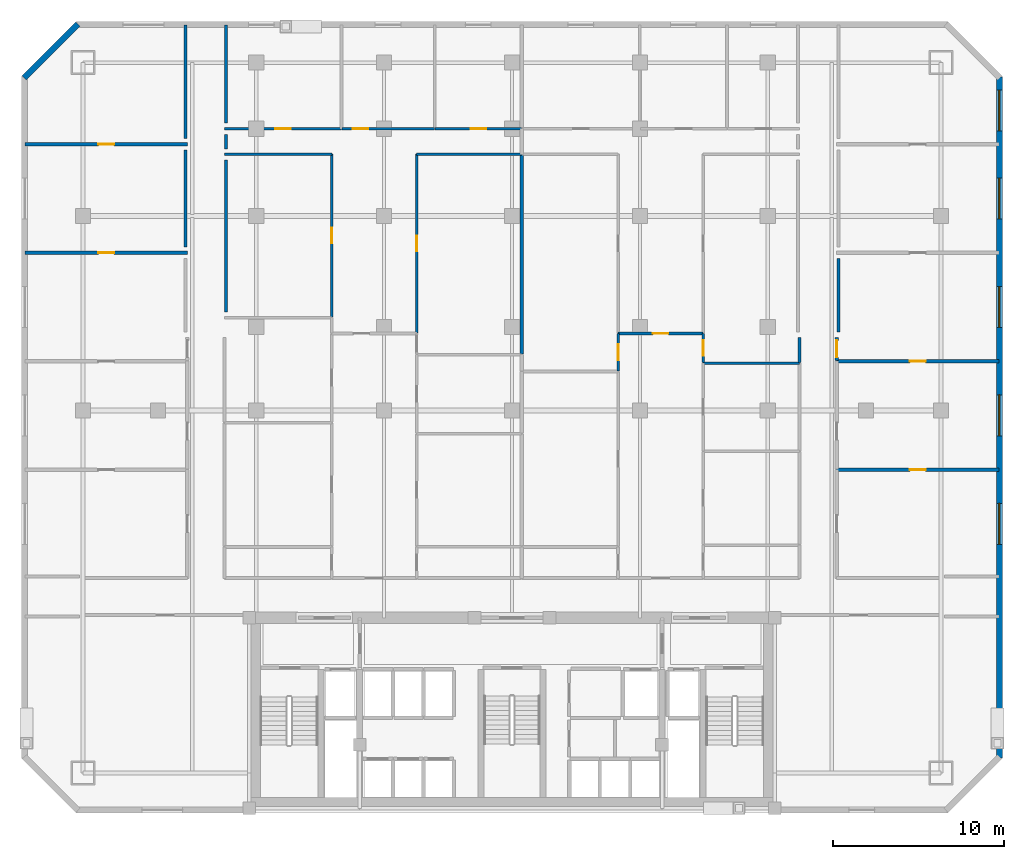
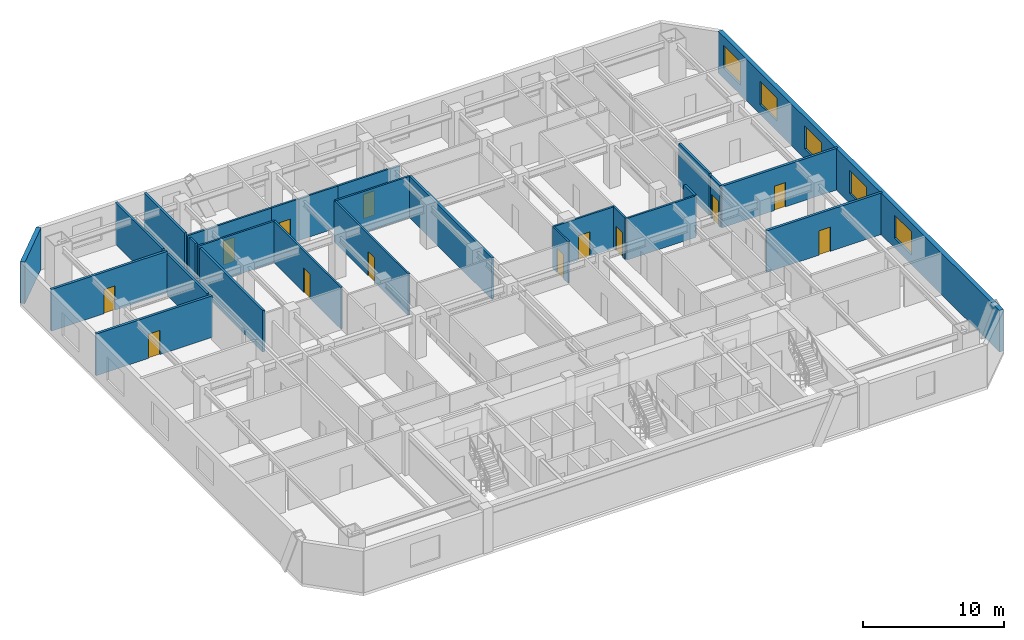
# One storey, part 6 of 9: 26 walls, 13 doors, 5 windows, 18 openings.
"""IFC4 building model written with IfcOpenShell, lengths in metres."""

from ifc_helpers import new_model, si_unit, direction, frame, frame_2d, origin, place, context, subcontext, project, spatial, rectangle, extrude, material, layer, layer_set, type_object, element, fill, save


model = new_model("IFC4")

# Units and contexts
model_context = context("Model", 3, precision=1e-05, world=origin(), true_north=direction((0.0, 1.0)))
body_context = subcontext(model_context, "Body", "Model", "MODEL_VIEW")
ifc_project = project(units=[si_unit("LENGTHUNIT", "METRE"), si_unit("AREAUNIT", "SQUARE_METRE"), si_unit("VOLUMEUNIT", "CUBIC_METRE"), si_unit("PLANEANGLEUNIT", "RADIAN"), si_unit("MASSUNIT", "GRAM", prefix="KILO")], contexts=[model_context])

# Site, building, storey
site_placement = place(None, origin())
site = spatial("IfcSite", under=ifc_project, at=site_placement, CompositionType="ELEMENT")
building_placement = place(site_placement, origin())
building = spatial("IfcBuilding", under=site, at=building_placement, Name="Ventersveld Concourse Tower", CompositionType="ELEMENT")
storey_placement = place(building_placement, frame((0.0, 0.0, 84.89990234375)))
storey = spatial("IfcBuildingStorey", under=building, at=storey_placement, Name="L20", CompositionType="ELEMENT", Elevation=84.89990234375)

# Wall, opening, door
ifc_material_1 = material(Name="Fire-rated autoclaved aerated masonry blockwork", Category="masonry")
ifc_layer_1 = layer(ifc_material_1, 0.179931640625)
ifc_layer_set_1 = layer_set([ifc_layer_1], Name="Fire-rated autoclaved aerated masonry blockwork")
wall_type_1 = type_object("IfcWallType", Name="WL-CORR-180", PredefinedType="PARTITIONING", material=ifc_layer_set_1)
wall_1_placement = place(storey_placement, frame((47.7900390625, 26.52490234375, 0.0), z_axis=(0.0, 0.0, 1.0), x_axis=(0.0, 1.0, 0.0)))
wall_1 = element("IfcWall", 1, at=wall_1_placement, inside=storey, type_object=wall_type_1, Name="L20 Interior Partition SP-L20-COR-SP-L20-NELNG3", PredefinedType="PARTITIONING", context=body_context, shape_type="SweptSolid", body=[
    extrude(rectangle(XDim=1.3701171875, YDim=0.179931640625, at=frame_2d((0.68505859375, 0.0))), origin(), (0.0, 0.0, 1.0), 3.60009765625),
])
opening_1_placement = place(wall_1_placement, frame((0.18505859375, 0.0, 0.0)))
opening_1 = element("IfcOpeningElement", 2, at=opening_1_placement, cuts=wall_1, Name="Opening FD3", PredefinedType="OPENING", context=body_context, shape_type="SweptSolid", body=[
    extrude(rectangle(XDim=1.0, YDim=2.14990234375, at=frame_2d((0.5, 1.074951171875))), frame((0.0, 0.10009765625, 0.0), z_axis=(0.0, -1.0, 0.0), x_axis=(1.0, 0.0, 0.0)), (0.0, 0.0, 1.0), 0.199951171875),
])
ifc_material_2 = material(Name="Solid-core hardwood veneer timber", Category="wood")
door_type_1 = type_object("IfcDoorType", Name="DR-FLAT-100", OperationType="NOTDEFINED", PredefinedType="DOOR", material=ifc_material_2)
door_1_placement = place(opening_1_placement, origin())
door_1 = element("IfcDoor", 3, at=door_1_placement, inside=storey, type_object=door_type_1, Name="L20 Interior Door SP-L20-COR to SP-L20-NELNG3 (D-L20-0960)", OperationType="SINGLE_SWING_RIGHT", OverallHeight=2.14990234375, OverallWidth=1.0, PredefinedType="DOOR", context=body_context, shape_type="SweptSolid", body=[
    extrude(rectangle(XDim=1.0, YDim=2.14990234375, at=frame_2d((0.5, 1.074951171875))), frame((0.0, 0.02490234375, 0.0), z_axis=(0.0, -1.0, 0.0), x_axis=(1.0, 0.0, 0.0)), (0.0, 0.0, 1.0), 0.050048828125),
])
fill(opening_1, door_1)

# Walls
wall_2_placement = place(storey_placement, frame((45.610107421875, 26.414794921875, 0.0), z_axis=(0.0, 0.0, 1.0), x_axis=(0.0, 1.0, 0.0)))
element("IfcWall", 4, at=wall_2_placement, inside=storey, type_object=wall_type_1, Name="L20 Interior Partition SP-L20-COR-SP-L20-20N2-DENS2", PredefinedType="PARTITIONING", context=body_context, shape_type="SweptSolid", body=[
    extrude(rectangle(XDim=1.480224609375, YDim=0.179931640625, at=frame_2d((0.740234375, 0.0))), origin(), (0.0, 0.0, 1.0), 3.60009765625),
])
wall_3_placement = place(storey_placement, frame((9.6201171875, 38.885009765625, 0.0), z_axis=(0.0, 0.0, 1.0), x_axis=(0.0, -1.0, 0.0)))
element("IfcWall", 5, at=wall_3_placement, inside=storey, type_object=wall_type_1, Name="L20 Room Enclosure Wall SP-L20-NWLNG4", PredefinedType="PARTITIONING", context=body_context, shape_type="SweptSolid", body=[
    extrude(rectangle(XDim=5.7099609375, YDim=0.179931640625, at=frame_2d((2.85498046875, 0.0))), origin(), (0.0, 0.0, 1.0), 3.60009765625),
])
wall_4_placement = place(storey_placement, frame((9.6201171875, 46.18994140625, 0.0), z_axis=(0.0, 0.0, 1.0), x_axis=(0.0, -1.0, 0.0)))
element("IfcWall", 6, at=wall_4_placement, inside=storey, type_object=wall_type_1, Name="L20 Room Enclosure Wall SP-L20-NWLNG5", PredefinedType="PARTITIONING", context=body_context, shape_type="SweptSolid", body=[
    extrude(rectangle(XDim=6.655029296875, YDim=0.179931640625, at=frame_2d((3.32763671875, 0.0))), origin(), (0.0, 0.0, 1.0), 3.60009765625),
])
wall_5_placement = place(storey_placement, frame((47.8798828125, 28.2099609375, 0.0), z_axis=(0.0, 0.0, 1.0), x_axis=(0.0, 1.0, 0.0)))
element("IfcWall", 7, at=wall_5_placement, inside=storey, type_object=wall_type_1, Name="L20 Room Enclosure Wall SP-L20-NELNG3", PredefinedType="PARTITIONING", context=body_context, shape_type="SweptSolid", body=[
    extrude(rectangle(XDim=4.31494140625, YDim=0.179931640625, at=frame_2d((2.157470703125, 0.0))), origin(), (0.0, 0.0, 1.0), 3.60009765625),
])
wall_6_placement = place(storey_placement, frame((11.97998046875, 38.945068359375, 0.0), z_axis=(0.0, 0.0, 1.0), x_axis=(0.0, 1.0, 0.0)))
element("IfcWall", 8, at=wall_6_placement, inside=storey, type_object=wall_type_1, Name="L20 Room Enclosure Wall SP-L20-20N1-LIV", PredefinedType="PARTITIONING", context=body_context, shape_type="SweptSolid", body=[
    extrude(rectangle(XDim=0.849853515625, YDim=0.179931640625, at=frame_2d((0.4248046875, 0.0))), origin(), (0.0, 0.0, 1.0), 3.60009765625),
])
wall_7_placement = place(storey_placement, frame((11.97998046875, 29.373779296875, 0.0), z_axis=(0.0, 0.0, 1.0), x_axis=(0.0, 1.0, 0.0)))
element("IfcWall", 9, at=wall_7_placement, inside=storey, type_object=wall_type_1, Name="L20 Room Enclosure Wall SP-L20-20N1-SEML4", PredefinedType="PARTITIONING", context=body_context, shape_type="SweptSolid", body=[
    extrude(rectangle(XDim=8.921142578125, YDim=0.179931640625, at=frame_2d((4.46044921875, 0.0))), origin(), (0.0, 0.0, 1.0), 3.60009765625),
])
wall_8_placement = place(storey_placement, frame((11.97998046875, 40.445068359375, 0.0), z_axis=(0.0, 0.0, 1.0), x_axis=(0.0, 1.0, 0.0)))
element("IfcWall", 10, at=wall_8_placement, inside=storey, type_object=wall_type_1, Name="L20 Room Enclosure Wall SP-L20-20N1-BR1", PredefinedType="PARTITIONING", context=body_context, shape_type="SweptSolid", body=[
    extrude(rectangle(XDim=5.744873046875, YDim=0.179931640625, at=frame_2d((2.87255859375, 0.0))), origin(), (0.0, 0.0, 1.0), 3.60009765625),
])

# Wall, opening, door
ifc_layer_2 = layer(ifc_material_1, 0.199951171875)
ifc_layer_set_2 = layer_set([ifc_layer_2], Name="Fire-rated autoclaved aerated masonry blockwork")
wall_type_2 = type_object("IfcWallType", Name="WL-DEMISE-200", PredefinedType="PARTITIONING", material=ifc_layer_set_2)
wall_9_placement = place(storey_placement, frame((0.2099609375, 32.85009765625, 0.0), z_axis=(0.0, 0.0, 1.0), x_axis=(1.0, 0.0, 0.0)))
wall_9 = element("IfcWall", 11, at=wall_9_placement, inside=storey, type_object=wall_type_2, Name="L20 Interior Partition SP-L20-NWLNG3-SP-L20-NWLNG4", PredefinedType="PARTITIONING", context=body_context, shape_type="SweptSolid", body=[
    extrude(rectangle(XDim=9.505126953125, YDim=0.199951171875, at=frame_2d((4.75244140625, 0.0))), origin(), (0.0, 0.0, 1.0), 3.60009765625),
])
opening_2_placement = place(wall_9_placement, frame((4.29248046875, 0.0, 0.0)))
opening_2 = element("IfcOpeningElement", 12, at=opening_2_placement, cuts=wall_9, Name="Opening ID1", PredefinedType="OPENING", context=body_context, shape_type="SweptSolid", body=[
    extrude(rectangle(XDim=0.919921875, YDim=2.10009765625, at=frame_2d((0.4599609375, 1.050048828125))), frame((0.0, 0.10986328125, 0.0), z_axis=(0.0, -1.0, 0.0), x_axis=(1.0, 0.0, 0.0)), (0.0, 0.0, 1.0), 0.219970703125),
])
door_type_2 = type_object("IfcDoorType", Name="DR-ROOM-092", OperationType="NOTDEFINED", PredefinedType="DOOR", material=ifc_material_2)
door_2_placement = place(opening_2_placement, origin())
door_2 = element("IfcDoor", 13, at=door_2_placement, inside=storey, type_object=door_type_2, Name="L20 Interior Door SP-L20-NWLNG3 to SP-L20-NWLNG4 (D-L20-0965)", OperationType="SINGLE_SWING_LEFT", OverallHeight=2.10009765625, OverallWidth=0.919921875, PredefinedType="DOOR", context=body_context, shape_type="SweptSolid", body=[
    extrude(rectangle(XDim=0.919921875, YDim=2.10009765625, at=frame_2d((0.4599609375, 1.050048828125))), frame((0.0, 0.02490234375, 0.0), z_axis=(0.0, -1.0, 0.0), x_axis=(1.0, 0.0, 0.0)), (0.0, 0.0, 1.0), 0.050048828125),
])
fill(opening_2, door_2)

wall_10_placement = place(storey_placement, frame((0.2099609375, 39.2099609375, 0.0), z_axis=(0.0, 0.0, 1.0), x_axis=(1.0, 0.0, 0.0)))
wall_10 = element("IfcWall", 14, at=wall_10_placement, inside=storey, type_object=wall_type_2, Name="L20 Interior Partition SP-L20-NWLNG4-SP-L20-NWLNG5", PredefinedType="PARTITIONING", context=body_context, shape_type="SweptSolid", body=[
    extrude(rectangle(XDim=9.505126953125, YDim=0.199951171875, at=frame_2d((4.75244140625, 0.0))), origin(), (0.0, 0.0, 1.0), 3.60009765625),
])
opening_3_placement = place(wall_10_placement, frame((4.29248046875, 0.0, 0.0)))
opening_3 = element("IfcOpeningElement", 15, at=opening_3_placement, cuts=wall_10, Name="Opening ID1", PredefinedType="OPENING", context=body_context, shape_type="SweptSolid", body=[
    extrude(rectangle(XDim=0.919921875, YDim=2.10009765625, at=frame_2d((0.4599609375, 1.050048828125))), frame((0.0, 0.10986328125, 0.0), z_axis=(0.0, -1.0, 0.0), x_axis=(1.0, 0.0, 0.0)), (0.0, 0.0, 1.0), 0.219970703125),
])
door_3_placement = place(opening_3_placement, origin())
door_3 = element("IfcDoor", 16, at=door_3_placement, inside=storey, type_object=door_type_2, Name="L20 Interior Door SP-L20-NWLNG4 to SP-L20-NWLNG5 (D-L20-0966)", OperationType="SINGLE_SWING_RIGHT", OverallHeight=2.10009765625, OverallWidth=0.919921875, PredefinedType="DOOR", context=body_context, shape_type="SweptSolid", body=[
    extrude(rectangle(XDim=0.919921875, YDim=2.10009765625, at=frame_2d((0.4599609375, 1.050048828125))), frame((0.0, 0.02490234375, 0.0), z_axis=(0.0, -1.0, 0.0), x_axis=(1.0, 0.0, 0.0)), (0.0, 0.0, 1.0), 0.050048828125),
])
fill(opening_3, door_3)

wall_11_placement = place(storey_placement, frame((47.784912109375, 20.1298828125, 0.0), z_axis=(0.0, 0.0, 1.0), x_axis=(1.0, 0.0, 0.0)))
wall_11 = element("IfcWall", 17, at=wall_11_placement, inside=storey, type_object=wall_type_2, Name="L20 Interior Partition SP-L20-NELNG1-SP-L20-NELNG2", PredefinedType="PARTITIONING", context=body_context, shape_type="SweptSolid", body=[
    extrude(rectangle(XDim=9.505126953125, YDim=0.199951171875, at=frame_2d((4.75244140625, 0.0))), origin(), (0.0, 0.0, 1.0), 3.60009765625),
])
opening_4_placement = place(wall_11_placement, frame((4.29248046875, 0.0, 0.0)))
opening_4 = element("IfcOpeningElement", 18, at=opening_4_placement, cuts=wall_11, Name="Opening ID1", PredefinedType="OPENING", context=body_context, shape_type="SweptSolid", body=[
    extrude(rectangle(XDim=0.919921875, YDim=2.10009765625, at=frame_2d((0.4599609375, 1.050048828125))), frame((0.0, 0.10986328125, 0.0), z_axis=(0.0, -1.0, 0.0), x_axis=(1.0, 0.0, 0.0)), (0.0, 0.0, 1.0), 0.219970703125),
])
door_4_placement = place(opening_4_placement, origin())
door_4 = element("IfcDoor", 19, at=door_4_placement, inside=storey, type_object=door_type_2, Name="L20 Interior Door SP-L20-NELNG1 to SP-L20-NELNG2 (D-L20-0967)", OperationType="SINGLE_SWING_LEFT", OverallHeight=2.10009765625, OverallWidth=0.919921875, PredefinedType="DOOR", context=body_context, shape_type="SweptSolid", body=[
    extrude(rectangle(XDim=0.919921875, YDim=2.10009765625, at=frame_2d((0.4599609375, 1.050048828125))), frame((0.0, 0.02490234375, 0.0), z_axis=(0.0, -1.0, 0.0), x_axis=(1.0, 0.0, 0.0)), (0.0, 0.0, 1.0), 0.050048828125),
])
fill(opening_4, door_4)

wall_12_placement = place(storey_placement, frame((47.784912109375, 26.489990234375, 0.0), z_axis=(0.0, 0.0, 1.0), x_axis=(1.0, 0.0, 0.0)))
wall_12 = element("IfcWall", 20, at=wall_12_placement, inside=storey, type_object=wall_type_2, Name="L20 Interior Partition SP-L20-NELNG2-SP-L20-NELNG3", PredefinedType="PARTITIONING", context=body_context, shape_type="SweptSolid", body=[
    extrude(rectangle(XDim=9.505126953125, YDim=0.199951171875, at=frame_2d((4.75244140625, 0.0))), origin(), (0.0, 0.0, 1.0), 3.60009765625),
])
opening_5_placement = place(wall_12_placement, frame((4.29248046875, 0.0, 0.0)))
opening_5 = element("IfcOpeningElement", 21, at=opening_5_placement, cuts=wall_12, Name="Opening ID1", PredefinedType="OPENING", context=body_context, shape_type="SweptSolid", body=[
    extrude(rectangle(XDim=0.919921875, YDim=2.10009765625, at=frame_2d((0.4599609375, 1.050048828125))), frame((0.0, 0.10986328125, 0.0), z_axis=(0.0, -1.0, 0.0), x_axis=(1.0, 0.0, 0.0)), (0.0, 0.0, 1.0), 0.219970703125),
])
door_5_placement = place(opening_5_placement, origin())
door_5 = element("IfcDoor", 22, at=door_5_placement, inside=storey, type_object=door_type_2, Name="L20 Interior Door SP-L20-NELNG2 to SP-L20-NELNG3 (D-L20-0968)", OperationType="SINGLE_SWING_RIGHT", OverallHeight=2.10009765625, OverallWidth=0.919921875, PredefinedType="DOOR", context=body_context, shape_type="SweptSolid", body=[
    extrude(rectangle(XDim=0.919921875, YDim=2.10009765625, at=frame_2d((0.4599609375, 1.050048828125))), frame((0.0, 0.02490234375, 0.0), z_axis=(0.0, -1.0, 0.0), x_axis=(1.0, 0.0, 0.0)), (0.0, 0.0, 1.0), 0.050048828125),
])
fill(opening_5, door_5)

# Wall
wall_13_placement = place(storey_placement, frame((29.314208984375, 26.9130859375, 0.0), z_axis=(0.0, 0.0, 1.0), x_axis=(0.0, 1.0, 0.0)))
element("IfcWall", 23, at=wall_13_placement, inside=storey, type_object=wall_type_2, Name="L20 Interior Partition SP-L20-20N1-DENS2-SP-L20-20N2-SEML2", PredefinedType="PARTITIONING", context=body_context, shape_type="SweptSolid", body=[
    extrude(rectangle(XDim=11.671875, YDim=0.199951171875, at=frame_2d((5.8359375, 0.0))), origin(), (0.0, 0.0, 1.0), 3.60009765625),
])

# Wall, opening, door
ifc_material_3 = material(Name="Autoclaved aerated masonry blockwork", Category="masonry")
ifc_layer_3 = layer(ifc_material_3, 0.14990234375)
ifc_layer_set_3 = layer_set([ifc_layer_3], Name="Autoclaved aerated masonry blockwork")
wall_type_3 = type_object("IfcWallType", Name="WL-INT-150", PredefinedType="PARTITIONING", material=ifc_layer_set_3)
wall_14_placement = place(storey_placement, frame((18.183837890625, 29.083740234375, 0.0), z_axis=(0.0, 0.0, 1.0), x_axis=(0.0, 1.0, 0.0)))
wall_14 = element("IfcWall", 24, at=wall_14_placement, inside=storey, type_object=wall_type_3, Name="L20 Interior Partition SP-L20-20N1-LIV-SP-L20-20N1-SEML4", PredefinedType="PARTITIONING", context=body_context, shape_type="SweptSolid", body=[
    extrude(rectangle(XDim=9.541259765625, YDim=0.14990234375, at=frame_2d((4.7705078125, 0.0))), origin(), (0.0, 0.0, 1.0), 3.60009765625),
])
opening_6_placement = place(wall_14_placement, frame((4.310546875, 0.0, 0.0)))
opening_6 = element("IfcOpeningElement", 25, at=opening_6_placement, cuts=wall_14, Name="Opening ID1", PredefinedType="OPENING", context=body_context, shape_type="SweptSolid", body=[
    extrude(rectangle(XDim=0.919921875, YDim=2.10009765625, at=frame_2d((0.4599609375, 1.050048828125))), frame((0.0, 0.0849609375, 0.0), z_axis=(0.0, -1.0, 0.0), x_axis=(1.0, 0.0, 0.0)), (0.0, 0.0, 1.0), 0.169921875),
])
door_6_placement = place(opening_6_placement, origin())
door_6 = element("IfcDoor", 26, at=door_6_placement, inside=storey, type_object=door_type_2, Name="L20 Interior Door SP-L20-20N1-LIV to SP-L20-20N1-SEML4 (D-L20-0979)", OperationType="SINGLE_SWING_LEFT", OverallHeight=2.10009765625, OverallWidth=0.919921875, PredefinedType="DOOR", context=body_context, shape_type="SweptSolid", body=[
    extrude(rectangle(XDim=0.919921875, YDim=2.10009765625, at=frame_2d((0.4599609375, 1.050048828125))), frame((0.0, 0.02490234375, 0.0), z_axis=(0.0, -1.0, 0.0), x_axis=(1.0, 0.0, 0.0)), (0.0, 0.0, 1.0), 0.050048828125),
])
fill(opening_6, door_6)

# Wall
wall_15_placement = place(storey_placement, frame((11.885009765625, 38.6201171875, 0.0), z_axis=(0.0, 0.0, 1.0), x_axis=(1.0, 0.0, 0.0)))
element("IfcWall", 27, at=wall_15_placement, inside=storey, type_object=wall_type_3, Name="L20 Interior Partition SP-L20-20N1-LIV-SP-L20-20N1-SEML4", PredefinedType="PARTITIONING", context=body_context, shape_type="SweptSolid", body=[
    extrude(rectangle(XDim=6.3037109375, YDim=0.14990234375, at=frame_2d((3.15185546875, 0.0))), origin(), (0.0, 0.0, 1.0), 3.60009765625),
])

# Wall, opening, door
wall_16_placement = place(storey_placement, frame((23.163818359375, 28.151611328125, 0.0), z_axis=(0.0, 0.0, 1.0), x_axis=(0.0, 1.0, 0.0)))
wall_16 = element("IfcWall", 28, at=wall_16_placement, inside=storey, type_object=wall_type_3, Name="L20 Interior Partition SP-L20-20N1-LIV-SP-L20-20N1-DENS2", PredefinedType="PARTITIONING", context=body_context, shape_type="SweptSolid", body=[
    extrude(rectangle(XDim=10.473388671875, YDim=0.14990234375, at=frame_2d((5.23681640625, 0.0))), origin(), (0.0, 0.0, 1.0), 3.60009765625),
])
opening_7_placement = place(wall_16_placement, frame((4.776611328125, 0.0, 0.0)))
opening_7 = element("IfcOpeningElement", 29, at=opening_7_placement, cuts=wall_16, Name="Opening ID1", PredefinedType="OPENING", context=body_context, shape_type="SweptSolid", body=[
    extrude(rectangle(XDim=0.919921875, YDim=2.10009765625, at=frame_2d((0.4599609375, 1.050048828125))), frame((0.0, 0.0849609375, 0.0), z_axis=(0.0, -1.0, 0.0), x_axis=(1.0, 0.0, 0.0)), (0.0, 0.0, 1.0), 0.169921875),
])
door_7_placement = place(opening_7_placement, origin())
door_7 = element("IfcDoor", 30, at=door_7_placement, inside=storey, type_object=door_type_2, Name="L20 Interior Door SP-L20-20N1-LIV to SP-L20-20N1-DENS2 (D-L20-0980)", OperationType="SINGLE_SWING_RIGHT", OverallHeight=2.10009765625, OverallWidth=0.919921875, PredefinedType="DOOR", context=body_context, shape_type="SweptSolid", body=[
    extrude(rectangle(XDim=0.919921875, YDim=2.10009765625, at=frame_2d((0.4599609375, 1.050048828125))), frame((0.0, 0.02490234375, 0.0), z_axis=(0.0, -1.0, 0.0), x_axis=(1.0, 0.0, 0.0)), (0.0, 0.0, 1.0), 0.050048828125),
])
fill(opening_7, door_7)

# Wall
wall_17_placement = place(storey_placement, frame((23.15869140625, 38.6201171875, 0.0), z_axis=(0.0, 0.0, 1.0), x_axis=(1.0, 0.0, 0.0)))
element("IfcWall", 31, at=wall_17_placement, inside=storey, type_object=wall_type_3, Name="L20 Interior Partition SP-L20-20N1-LIV-SP-L20-20N1-DENS2", PredefinedType="PARTITIONING", context=body_context, shape_type="SweptSolid", body=[
    extrude(rectangle(XDim=6.160400390625, YDim=0.14990234375, at=frame_2d((3.080078125, 0.0))), origin(), (0.0, 0.0, 1.0), 3.60009765625),
])

# Wall, opening, door
wall_18_placement = place(storey_placement, frame((11.885009765625, 40.1201171875, 0.0), z_axis=(0.0, 0.0, 1.0), x_axis=(1.0, 0.0, 0.0)))
wall_18 = element("IfcWall", 32, at=wall_18_placement, inside=storey, type_object=wall_type_3, Name="L20 Interior Partition SP-L20-20N1-LIV-SP-L20-20N1-BR1", PredefinedType="PARTITIONING", context=body_context, shape_type="SweptSolid", body=[
    extrude(rectangle(XDim=6.873291015625, YDim=0.14990234375, at=frame_2d((3.4365234375, 0.0))), origin(), (0.0, 0.0, 1.0), 3.60009765625),
])
opening_8_placement = place(wall_18_placement, frame((2.9765625, 0.0, 0.0)))
opening_8 = element("IfcOpeningElement", 33, at=opening_8_placement, cuts=wall_18, Name="Opening ID1", PredefinedType="OPENING", context=body_context, shape_type="SweptSolid", body=[
    extrude(rectangle(XDim=0.919921875, YDim=2.10009765625, at=frame_2d((0.4599609375, 1.050048828125))), frame((0.0, 0.0849609375, 0.0), z_axis=(0.0, -1.0, 0.0), x_axis=(1.0, 0.0, 0.0)), (0.0, 0.0, 1.0), 0.169921875),
])
door_8_placement = place(opening_8_placement, origin())
door_8 = element("IfcDoor", 34, at=door_8_placement, inside=storey, type_object=door_type_2, Name="L20 Interior Door SP-L20-20N1-LIV to SP-L20-20N1-BR1 (D-L20-0981)", OperationType="SINGLE_SWING_LEFT", OverallHeight=2.10009765625, OverallWidth=0.919921875, PredefinedType="DOOR", context=body_context, shape_type="SweptSolid", body=[
    extrude(rectangle(XDim=0.919921875, YDim=2.10009765625, at=frame_2d((0.4599609375, 1.050048828125))), frame((0.0, 0.02490234375, 0.0), z_axis=(0.0, -1.0, 0.0), x_axis=(1.0, 0.0, 0.0)), (0.0, 0.0, 1.0), 0.050048828125),
])
fill(opening_8, door_8)

wall_19_placement = place(storey_placement, frame((18.788330078125, 40.1201171875, 0.0), z_axis=(0.0, 0.0, 1.0), x_axis=(1.0, 0.0, 0.0)))
wall_19 = element("IfcWall", 35, at=wall_19_placement, inside=storey, type_object=wall_type_3, Name="L20 Interior Partition SP-L20-20N1-LIV-SP-L20-20N1-BR2", PredefinedType="PARTITIONING", context=body_context, shape_type="SweptSolid", body=[
    extrude(rectangle(XDim=5.42626953125, YDim=0.14990234375, at=frame_2d((2.713134765625, 0.0))), origin(), (0.0, 0.0, 1.0), 3.60009765625),
])
opening_9_placement = place(wall_19_placement, frame((0.625244140625, 0.0, 0.0)))
opening_9 = element("IfcOpeningElement", 36, at=opening_9_placement, cuts=wall_19, Name="Opening ID1", PredefinedType="OPENING", context=body_context, shape_type="SweptSolid", body=[
    extrude(rectangle(XDim=0.919921875, YDim=2.10009765625, at=frame_2d((0.4599609375, 1.050048828125))), frame((0.0, 0.0849609375, 0.0), z_axis=(0.0, -1.0, 0.0), x_axis=(1.0, 0.0, 0.0)), (0.0, 0.0, 1.0), 0.169921875),
])
door_9_placement = place(opening_9_placement, origin())
door_9 = element("IfcDoor", 37, at=door_9_placement, inside=storey, type_object=door_type_2, Name="L20 Interior Door SP-L20-20N1-LIV to SP-L20-20N1-BR2 (D-L20-0982)", OperationType="SINGLE_SWING_RIGHT", OverallHeight=2.10009765625, OverallWidth=0.919921875, PredefinedType="DOOR", context=body_context, shape_type="SweptSolid", body=[
    extrude(rectangle(XDim=0.919921875, YDim=2.10009765625, at=frame_2d((0.4599609375, 1.050048828125))), frame((0.0, 0.02490234375, 0.0), z_axis=(0.0, -1.0, 0.0), x_axis=(1.0, 0.0, 0.0)), (0.0, 0.0, 1.0), 0.050048828125),
])
fill(opening_9, door_9)

wall_20_placement = place(storey_placement, frame((24.24462890625, 40.1201171875, 0.0), z_axis=(0.0, 0.0, 1.0), x_axis=(1.0, 0.0, 0.0)))
wall_20 = element("IfcWall", 38, at=wall_20_placement, inside=storey, type_object=wall_type_3, Name="L20 Interior Partition SP-L20-20N1-LIV-SP-L20-20N1-BR3", PredefinedType="PARTITIONING", context=body_context, shape_type="SweptSolid", body=[
    extrude(rectangle(XDim=5.074462890625, YDim=0.14990234375, at=frame_2d((2.537109375, 0.0))), origin(), (0.0, 0.0, 1.0), 3.60009765625),
])
opening_10_placement = place(wall_20_placement, frame((2.0771484375, 0.0, 0.0)))
opening_10 = element("IfcOpeningElement", 39, at=opening_10_placement, cuts=wall_20, Name="Opening ID1", PredefinedType="OPENING", context=body_context, shape_type="SweptSolid", body=[
    extrude(rectangle(XDim=0.919921875, YDim=2.10009765625, at=frame_2d((0.4599609375, 1.050048828125))), frame((0.0, 0.0849609375, 0.0), z_axis=(0.0, -1.0, 0.0), x_axis=(1.0, 0.0, 0.0)), (0.0, 0.0, 1.0), 0.169921875),
])
door_10_placement = place(opening_10_placement, origin())
door_10 = element("IfcDoor", 40, at=door_10_placement, inside=storey, type_object=door_type_2, Name="L20 Interior Door SP-L20-20N1-LIV to SP-L20-20N1-BR3 (D-L20-0983)", OperationType="SINGLE_SWING_LEFT", OverallHeight=2.10009765625, OverallWidth=0.919921875, PredefinedType="DOOR", context=body_context, shape_type="SweptSolid", body=[
    extrude(rectangle(XDim=0.919921875, YDim=2.10009765625, at=frame_2d((0.4599609375, 1.050048828125))), frame((0.0, 0.02490234375, 0.0), z_axis=(0.0, -1.0, 0.0), x_axis=(1.0, 0.0, 0.0)), (0.0, 0.0, 1.0), 0.050048828125),
])
fill(opening_10, door_10)

wall_21_placement = place(storey_placement, frame((34.967041015625, 28.11669921875, 0.0), z_axis=(0.0, 0.0, 1.0), x_axis=(1.0, 0.0, 0.0)))
wall_21 = element("IfcWall", 41, at=wall_21_placement, inside=storey, type_object=wall_type_3, Name="L20 Interior Partition SP-L20-20N2-FOY-SP-L20-20N2-LIV", PredefinedType="PARTITIONING", context=body_context, shape_type="SweptSolid", body=[
    extrude(rectangle(XDim=4.989990234375, YDim=0.14990234375, at=frame_2d((2.4951171875, 0.0))), origin(), (0.0, 0.0, 1.0), 3.60009765625),
])
opening_11_placement = place(wall_21_placement, frame((2.034912109375, 0.0, 0.0)))
opening_11 = element("IfcOpeningElement", 42, at=opening_11_placement, cuts=wall_21, Name="Opening ID1", PredefinedType="OPENING", context=body_context, shape_type="SweptSolid", body=[
    extrude(rectangle(XDim=0.919921875, YDim=2.10009765625, at=frame_2d((0.4599609375, 1.050048828125))), frame((0.0, 0.0849609375, 0.0), z_axis=(0.0, -1.0, 0.0), x_axis=(1.0, 0.0, 0.0)), (0.0, 0.0, 1.0), 0.169921875),
])
door_11_placement = place(opening_11_placement, origin())
door_11 = element("IfcDoor", 43, at=door_11_placement, inside=storey, type_object=door_type_2, Name="L20 Interior Door SP-L20-20N2-FOY to SP-L20-20N2-LIV (D-L20-0984)", OperationType="SINGLE_SWING_RIGHT", OverallHeight=2.10009765625, OverallWidth=0.919921875, PredefinedType="DOOR", context=body_context, shape_type="SweptSolid", body=[
    extrude(rectangle(XDim=0.919921875, YDim=2.10009765625, at=frame_2d((0.4599609375, 1.050048828125))), frame((0.0, 0.02490234375, 0.0), z_axis=(0.0, -1.0, 0.0), x_axis=(1.0, 0.0, 0.0)), (0.0, 0.0, 1.0), 0.050048828125),
])
fill(opening_11, door_11)

wall_22_placement = place(storey_placement, frame((34.97216796875, 25.92138671875, 0.0), z_axis=(0.0, 0.0, 1.0), x_axis=(0.0, 1.0, 0.0)))
wall_22 = element("IfcWall", 44, at=wall_22_placement, inside=storey, type_object=wall_type_3, Name="L20 Interior Partition SP-L20-20N2-FOY-SP-L20-20N2-SEML2", PredefinedType="PARTITIONING", context=body_context, shape_type="SweptSolid", body=[
    extrude(rectangle(XDim=2.2001953125, YDim=0.14990234375, at=frame_2d((1.10009765625, 0.0))), origin(), (0.0, 0.0, 1.0), 3.60009765625),
])
opening_12_placement = place(wall_22_placement, frame((0.64013671875, 0.0, 0.0)))
opening_12 = element("IfcOpeningElement", 45, at=opening_12_placement, cuts=wall_22, Name="Opening ID1", PredefinedType="OPENING", context=body_context, shape_type="SweptSolid", body=[
    extrude(rectangle(XDim=0.919921875, YDim=2.10009765625, at=frame_2d((0.4599609375, 1.050048828125))), frame((0.0, 0.0849609375, 0.0), z_axis=(0.0, -1.0, 0.0), x_axis=(1.0, 0.0, 0.0)), (0.0, 0.0, 1.0), 0.169921875),
])
door_12_placement = place(opening_12_placement, origin())
door_12 = element("IfcDoor", 46, at=door_12_placement, inside=storey, type_object=door_type_2, Name="L20 Interior Door SP-L20-20N2-FOY to SP-L20-20N2-SEML2 (D-L20-0987)", OperationType="SINGLE_SWING_LEFT", OverallHeight=2.10009765625, OverallWidth=0.919921875, PredefinedType="DOOR", context=body_context, shape_type="SweptSolid", body=[
    extrude(rectangle(XDim=0.919921875, YDim=2.10009765625, at=frame_2d((0.4599609375, 1.050048828125))), frame((0.0, 0.02490234375, 0.0), z_axis=(0.0, -1.0, 0.0), x_axis=(1.0, 0.0, 0.0)), (0.0, 0.0, 1.0), 0.050048828125),
])
fill(opening_12, door_12)

wall_23_placement = place(storey_placement, frame((39.9521484375, 26.414794921875, 0.0), z_axis=(0.0, 0.0, 1.0), x_axis=(0.0, 1.0, 0.0)))
wall_23 = element("IfcWall", 47, at=wall_23_placement, inside=storey, type_object=wall_type_3, Name="L20 Interior Partition SP-L20-20N2-FOY-SP-L20-20N2-DENS2", PredefinedType="PARTITIONING", context=body_context, shape_type="SweptSolid", body=[
    extrude(rectangle(XDim=1.706787109375, YDim=0.14990234375, at=frame_2d((0.853515625, 0.0))), origin(), (0.0, 0.0, 1.0), 3.60009765625),
])
opening_13_placement = place(wall_23_placement, frame((0.3935546875, 0.0, 0.0)))
opening_13 = element("IfcOpeningElement", 48, at=opening_13_placement, cuts=wall_23, Name="Opening ID1", PredefinedType="OPENING", context=body_context, shape_type="SweptSolid", body=[
    extrude(rectangle(XDim=0.919921875, YDim=2.10009765625, at=frame_2d((0.4599609375, 1.050048828125))), frame((0.0, 0.0849609375, 0.0), z_axis=(0.0, -1.0, 0.0), x_axis=(1.0, 0.0, 0.0)), (0.0, 0.0, 1.0), 0.169921875),
])
door_13_placement = place(opening_13_placement, origin())
door_13 = element("IfcDoor", 49, at=door_13_placement, inside=storey, type_object=door_type_2, Name="L20 Interior Door SP-L20-20N2-FOY to SP-L20-20N2-DENS2 (D-L20-0991)", OperationType="SINGLE_SWING_LEFT", OverallHeight=2.10009765625, OverallWidth=0.919921875, PredefinedType="DOOR", context=body_context, shape_type="SweptSolid", body=[
    extrude(rectangle(XDim=0.919921875, YDim=2.10009765625, at=frame_2d((0.4599609375, 1.050048828125))), frame((0.0, 0.02490234375, 0.0), z_axis=(0.0, -1.0, 0.0), x_axis=(1.0, 0.0, 0.0)), (0.0, 0.0, 1.0), 0.050048828125),
])
fill(opening_13, door_13)

# Wall
wall_24_placement = place(storey_placement, frame((39.947021484375, 26.379638671875, 0.0), z_axis=(0.0, 0.0, 1.0), x_axis=(1.0, 0.0, 0.0)))
element("IfcWall", 50, at=wall_24_placement, inside=storey, type_object=wall_type_3, Name="L20 Interior Partition SP-L20-20N2-SEMR3-SP-L20-20N2-DENS2", PredefinedType="PARTITIONING", context=body_context, shape_type="SweptSolid", body=[
    extrude(rectangle(XDim=5.66796875, YDim=0.14990234375, at=frame_2d((2.833984375, 0.0))), origin(), (0.0, 0.0, 1.0), 3.60009765625),
])

# Wall, openings, windows
ifc_material_4 = material(Name="Precast concrete C45/55", Category="concrete")
ifc_layer_4 = layer(ifc_material_4, 0.35009765625)
ifc_layer_set_4 = layer_set([ifc_layer_4], Name="Precast concrete C45/55")
wall_type_4 = type_object("IfcWallType", Name="WL-PREC-350", PredefinedType="SOLIDWALL", material=ifc_layer_set_4)
wall_25_placement = place(storey_placement, frame((57.324951171875, 3.239990234375, 0.0), z_axis=(0.0, 0.0, 1.0), x_axis=(0.0, 1.0, 0.0)))
wall_25 = element("IfcWall", 51, at=wall_25_placement, inside=storey, type_object=wall_type_4, Name="L20 Highveld Precast Facade Wall E03", PredefinedType="SOLIDWALL", context=body_context, shape_type="SweptSolid", body=[
    extrude(rectangle(XDim=39.919921875, YDim=0.35009765625, at=frame_2d((19.9599609375, 0.0))), origin(), (0.0, 0.0, 1.0), 3.60009765625),
])
opening_14_placement = place(wall_25_placement, frame((12.510009765625, 0.0, 0.85009765625)))
opening_14 = element("IfcOpeningElement", 52, at=opening_14_placement, cuts=wall_25, Name="Opening W5", PredefinedType="OPENING", context=body_context, shape_type="SweptSolid", body=[
    extrude(rectangle(XDim=2.39990234375, YDim=2.0, at=frame_2d((1.199951171875, 1.0))), frame((0.0, 0.18505859375, 0.0), z_axis=(0.0, -1.0, 0.0), x_axis=(1.0, 0.0, 0.0)), (0.0, 0.0, 1.0), 0.3701171875),
])
opening_15_placement = place(wall_25_placement, frame((18.8701171875, 0.0, 0.85009765625)))
opening_15 = element("IfcOpeningElement", 53, at=opening_15_placement, cuts=wall_25, Name="Opening W5", PredefinedType="OPENING", context=body_context, shape_type="SweptSolid", body=[
    extrude(rectangle(XDim=2.39990234375, YDim=2.0, at=frame_2d((1.199951171875, 1.0))), frame((0.0, 0.18505859375, 0.0), z_axis=(0.0, -1.0, 0.0), x_axis=(1.0, 0.0, 0.0)), (0.0, 0.0, 1.0), 0.3701171875),
])
opening_16_placement = place(wall_25_placement, frame((25.22998046875, 0.0, 0.85009765625)))
opening_16 = element("IfcOpeningElement", 54, at=opening_16_placement, cuts=wall_25, Name="Opening W5", PredefinedType="OPENING", context=body_context, shape_type="SweptSolid", body=[
    extrude(rectangle(XDim=2.39990234375, YDim=2.0, at=frame_2d((1.199951171875, 1.0))), frame((0.0, 0.18505859375, 0.0), z_axis=(0.0, -1.0, 0.0), x_axis=(1.0, 0.0, 0.0)), (0.0, 0.0, 1.0), 0.3701171875),
])
opening_17_placement = place(wall_25_placement, frame((31.590087890625, 0.0, 0.85009765625)))
opening_17 = element("IfcOpeningElement", 55, at=opening_17_placement, cuts=wall_25, Name="Opening W5", PredefinedType="OPENING", context=body_context, shape_type="SweptSolid", body=[
    extrude(rectangle(XDim=2.39990234375, YDim=2.0, at=frame_2d((1.199951171875, 1.0))), frame((0.0, 0.18505859375, 0.0), z_axis=(0.0, -1.0, 0.0), x_axis=(1.0, 0.0, 0.0)), (0.0, 0.0, 1.0), 0.3701171875),
])
opening_18_placement = place(wall_25_placement, frame((36.75, 0.0, 0.85009765625)))
opening_18 = element("IfcOpeningElement", 56, at=opening_18_placement, cuts=wall_25, Name="Opening W5", PredefinedType="OPENING", context=body_context, shape_type="SweptSolid", body=[
    extrude(rectangle(XDim=2.39990234375, YDim=2.0, at=frame_2d((1.199951171875, 1.0))), frame((0.0, 0.18505859375, 0.0), z_axis=(0.0, -1.0, 0.0), x_axis=(1.0, 0.0, 0.0)), (0.0, 0.0, 1.0), 0.3701171875),
])
ifc_material_5 = material(Name="Tempered acoustic Low-E IGU", Category="glass")
window_type = type_object("IfcWindowType", Name="WIN-240x210", PartitioningType="SINGLE_PANEL", PredefinedType="WINDOW", material=ifc_material_5)
window_1_placement = place(opening_14_placement, origin())
window_1 = element("IfcWindow", 57, at=window_1_placement, inside=storey, type_object=window_type, Name="L20 Punched Low-E Window W-0213", OverallHeight=2.0, OverallWidth=2.39990234375, PartitioningType="SINGLE_PANEL", PredefinedType="WINDOW", context=body_context, shape_type="SweptSolid", body=[
    extrude(rectangle(XDim=2.39990234375, YDim=2.0, at=frame_2d((1.199951171875, 1.0))), frame((0.0, 0.030029296875, 0.0), z_axis=(0.0, -1.0, 0.0), x_axis=(1.0, 0.0, 0.0)), (0.0, 0.0, 1.0), 0.06005859375),
])
fill(opening_14, window_1)
window_2_placement = place(opening_15_placement, origin())
window_2 = element("IfcWindow", 58, at=window_2_placement, inside=storey, type_object=window_type, Name="L20 Punched Low-E Window W-0214", OverallHeight=2.0, OverallWidth=2.39990234375, PartitioningType="SINGLE_PANEL", PredefinedType="WINDOW", context=body_context, shape_type="SweptSolid", body=[
    extrude(rectangle(XDim=2.39990234375, YDim=2.0, at=frame_2d((1.199951171875, 1.0))), frame((0.0, 0.030029296875, 0.0), z_axis=(0.0, -1.0, 0.0), x_axis=(1.0, 0.0, 0.0)), (0.0, 0.0, 1.0), 0.06005859375),
])
fill(opening_15, window_2)
window_3_placement = place(opening_16_placement, origin())
window_3 = element("IfcWindow", 59, at=window_3_placement, inside=storey, type_object=window_type, Name="L20 Punched Low-E Window W-0215", OverallHeight=2.0, OverallWidth=2.39990234375, PartitioningType="SINGLE_PANEL", PredefinedType="WINDOW", context=body_context, shape_type="SweptSolid", body=[
    extrude(rectangle(XDim=2.39990234375, YDim=2.0, at=frame_2d((1.199951171875, 1.0))), frame((0.0, 0.030029296875, 0.0), z_axis=(0.0, -1.0, 0.0), x_axis=(1.0, 0.0, 0.0)), (0.0, 0.0, 1.0), 0.06005859375),
])
fill(opening_16, window_3)
window_4_placement = place(opening_17_placement, origin())
window_4 = element("IfcWindow", 60, at=window_4_placement, inside=storey, type_object=window_type, Name="L20 Punched Low-E Window W-0216", OverallHeight=2.0, OverallWidth=2.39990234375, PartitioningType="SINGLE_PANEL", PredefinedType="WINDOW", context=body_context, shape_type="SweptSolid", body=[
    extrude(rectangle(XDim=2.39990234375, YDim=2.0, at=frame_2d((1.199951171875, 1.0))), frame((0.0, 0.030029296875, 0.0), z_axis=(0.0, -1.0, 0.0), x_axis=(1.0, 0.0, 0.0)), (0.0, 0.0, 1.0), 0.06005859375),
])
fill(opening_17, window_4)
window_5_placement = place(opening_18_placement, origin())
window_5 = element("IfcWindow", 61, at=window_5_placement, inside=storey, type_object=window_type, Name="L20 Punched Low-E Window W-0217", OverallHeight=2.0, OverallWidth=2.39990234375, PartitioningType="SINGLE_PANEL", PredefinedType="WINDOW", context=body_context, shape_type="SweptSolid", body=[
    extrude(rectangle(XDim=2.39990234375, YDim=2.0, at=frame_2d((1.199951171875, 1.0))), frame((0.0, 0.030029296875, 0.0), z_axis=(0.0, -1.0, 0.0), x_axis=(1.0, 0.0, 0.0)), (0.0, 0.0, 1.0), 0.06005859375),
])
fill(opening_18, window_5)

# Wall
wall_26_placement = place(storey_placement, frame((3.29541015625, 46.248046875, 0.0), z_axis=(0.0, 0.0, 1.0), x_axis=(-0.707079321262, -0.707134240044, 0.0)))
element("IfcWall", 62, at=wall_26_placement, inside=storey, type_object=wall_type_4, Name="L20 Highveld Precast Facade Wall E06", PredefinedType="SOLIDWALL", context=body_context, shape_type="SweptSolid", body=[
    extrude(rectangle(XDim=4.445556640625, YDim=0.35009765625, at=frame_2d((2.22265625, 0.0))), origin(), (0.0, 0.0, 1.0), 3.60009765625),
])

save(model, "model.ifc")
